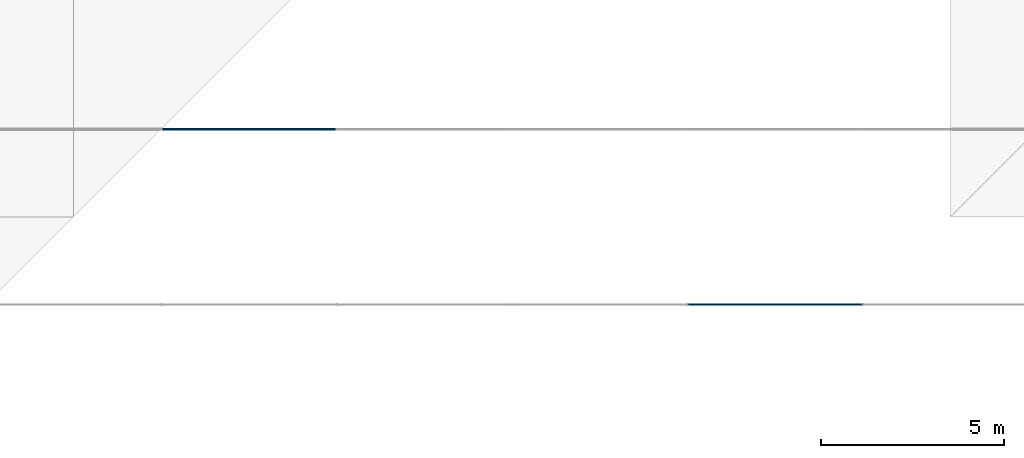
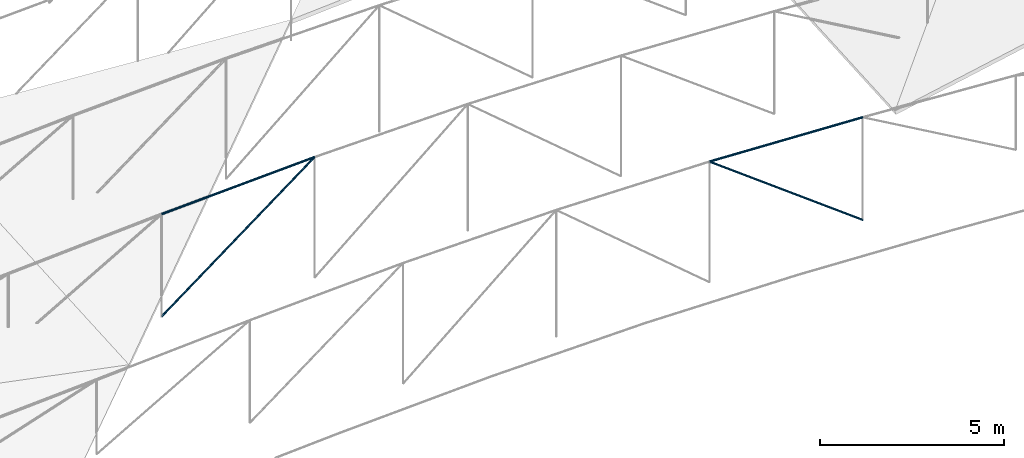
# One storey, part 17 of 50: 4 members.
"""IFC4 building model written with IfcOpenShell, lengths in metres."""

from ifc_helpers import new_model, si_unit, direction, frame, origin, origin_2d, place, context, subcontext, project, spatial, circle, extrude, material, material_profile, profile_set, type_object, element, save


model = new_model("IFC4")

# Units and contexts
model_context = context("Model", 3, precision=1e-05, world=origin(), true_north=direction((0.0, 1.0)))
body_context = subcontext(model_context, "Body", "Model", "MODEL_VIEW")
ifc_project = project(units=[si_unit("LENGTHUNIT", "METRE"), si_unit("AREAUNIT", "SQUARE_METRE"), si_unit("VOLUMEUNIT", "CUBIC_METRE"), si_unit("PLANEANGLEUNIT", "RADIAN"), si_unit("MASSUNIT", "GRAM", prefix="KILO")], contexts=[model_context])

# Site, building, storey
site_placement = place(None, origin())
site = spatial("IfcSite", under=ifc_project, at=site_placement, CompositionType="ELEMENT")
building_placement = place(site_placement, origin())
building = spatial("IfcBuilding", under=site, at=building_placement, Name="Zevrakil Square Congress Hotel", CompositionType="ELEMENT")
storey_placement = place(building_placement, frame((0.0, 0.0, 21.5)))
storey = spatial("IfcBuildingStorey", under=building, at=storey_placement, Name="L06", CompositionType="ELEMENT", Elevation=21.5)

# Members
ifc_material_1 = material(Name="Steel S355", Category="steel")
ifc_material_profile_1 = material_profile(ifc_material_1, circle(Radius=0.030029296875, at=origin_2d()), Name="CABLE RD60")
ifc_profile_set_1 = profile_set([ifc_material_profile_1], Name="Steel S355")
member_type_1 = type_object("IfcMemberType", Name="MEM-CABLE-RD60", PredefinedType="USERDEFINED", material=ifc_profile_set_1)
for number, where, z_axis, x_axis, name in (
    (1, (151.199951171875, 74.39990234375, -1.51806640625), (-0.799174909116, 0.0, 0.601098548192), (0.0, -1.0, 0.0), "Congress cable-truss web diagonal CBD-02-7"),
    (2, (132.0, 79.199951171875, -0.91796875), (0.799174909116, 0.0, 0.601098548192), (0.0, 1.0, 0.0), "Congress cable-truss web diagonal CBD-03-4"),
):
    element("IfcMember", number, at=place(storey_placement, frame(where, z_axis=z_axis, x_axis=x_axis)), inside=storey, type_object=member_type_1, Name=name, ObjectType="ROOF CABLE", PredefinedType="USERDEFINED", context=body_context, shape_type="SweptSolid", body=[
        extrude(circle(Radius=0.030029296875, at=origin_2d()), origin(), (0.0, 0.0, 1.0), 6.00634765625),
    ])
ifc_material_2 = material(Name="Steel S355", Category="steel")
ifc_material_profile_2 = material_profile(ifc_material_2, circle(Radius=0.033935546875, at=origin_2d()), Name="CABLE RD68")
ifc_profile_set_2 = profile_set([ifc_material_profile_2], Name="Steel S355")
member_type_2 = type_object("IfcMemberType", Name="MEM-CABLE-RD68", PredefinedType="USERDEFINED", material=ifc_profile_set_2)
for number, where, z_axis, x_axis, name in (
    (3, (146.39990234375, 74.39990234375, 2.09228515625), (0.999022402478, 0.0, -0.044206779419), (0.0, 1.0, 0.0), "Congress lenticular upper cable chord CBU-02 seg 7"),
    (4, (132.0, 79.199951171875, 2.47998046875), (0.999022402478, 0.0, 0.044206779419), (0.0, 1.0, 0.0), "Congress lenticular upper cable chord CBU-03 seg 4"),
):
    element("IfcMember", number, at=place(storey_placement, frame(where, z_axis=z_axis, x_axis=x_axis)), inside=storey, type_object=member_type_2, Name=name, ObjectType="ROOF CABLE", PredefinedType="USERDEFINED", context=body_context, shape_type="SweptSolid", body=[
        extrude(circle(Radius=0.033935546875, at=origin_2d()), origin(), (0.0, 0.0, 1.0), 4.8046875),
    ])

save(model, "model.ifc")
